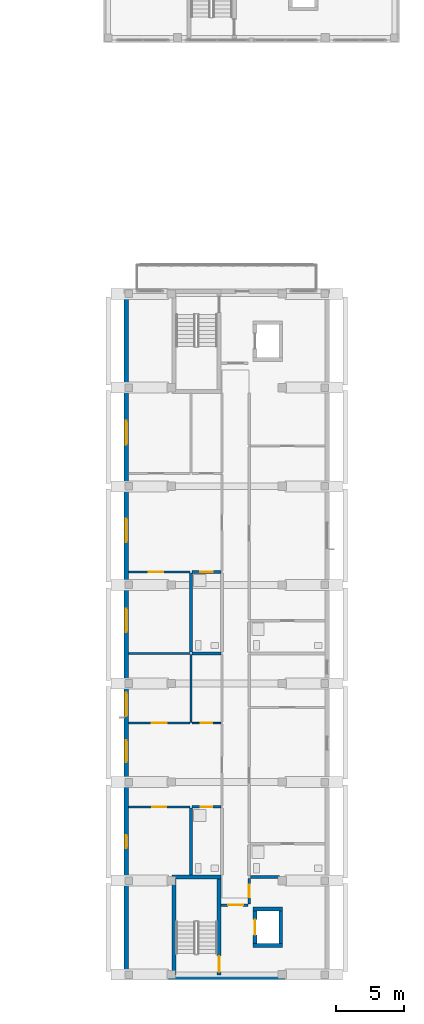
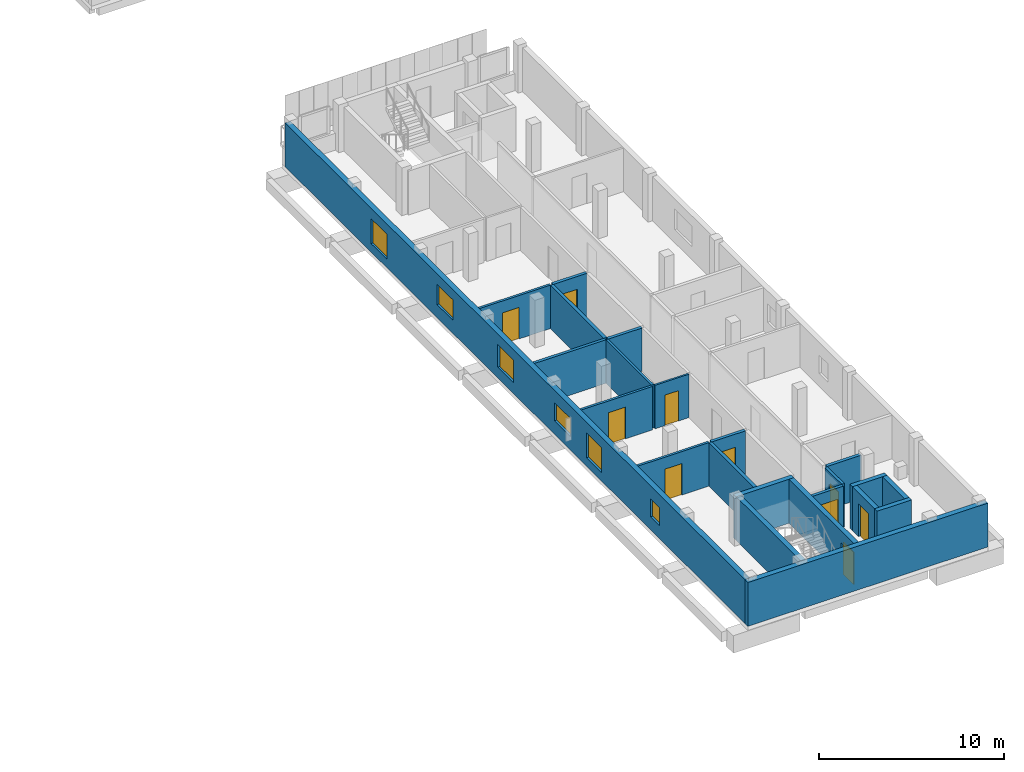
# One storey, part 19 of 38: 23 walls, 10 doors, 6 windows, 16 openings.
"""IFC4 building model written with IfcOpenShell, lengths in metres."""

from ifc_helpers import new_model, si_unit, derived_unit, direction, frame, frame_2d, origin, place, context, subcontext, project, spatial, rectangle, extrude, material, layer, layer_set, type_object, element, fill, save


model = new_model("IFC4")

# Units and contexts
model_context = context("Model", 3, precision=1e-05, world=origin(), true_north=direction((0.0, 1.0)))
body_context = subcontext(model_context, "Body", "Model", "MODEL_VIEW")
ifc_project = project(units=[si_unit("LENGTHUNIT", "METRE"), si_unit("AREAUNIT", "SQUARE_METRE"), si_unit("VOLUMEUNIT", "CUBIC_METRE"), si_unit("PLANEANGLEUNIT", "RADIAN"), si_unit("MASSUNIT", "GRAM", prefix="KILO"), derived_unit("THERMALTRANSMITTANCEUNIT", [(si_unit("MASSUNIT", "GRAM", prefix="KILO"), 1), (si_unit("TIMEUNIT", "SECOND"), -3), (si_unit("THERMODYNAMICTEMPERATUREUNIT", "KELVIN"), -1)])], contexts=[model_context])

# Site, building, storey
site_placement = place(None, origin())
site = spatial("IfcSite", under=ifc_project, at=site_placement, CompositionType="ELEMENT")
building_placement = place(site_placement, origin())
building = spatial("IfcBuilding", under=site, at=building_placement, Name="Ochrekiln Boulevard Commons", CompositionType="ELEMENT")
storey_placement = place(building_placement, frame((0.0, 0.0, 24.675048828125)))
storey = spatial("IfcBuildingStorey", under=building, at=storey_placement, Name="L07", CompositionType="ELEMENT", Elevation=24.675048828125)

# Wall
ifc_material_1 = material(Name="Desert ochre clinker brick masonry ASTM C216 Grade SW", Category="masonry")
ifc_layer_1 = layer(ifc_material_1, 0.330078125)
ifc_layer_set_1 = layer_set([ifc_layer_1], Name="Desert ochre clinker brick masonry ASTM C216 Grade SW")
wall_type_1 = type_object("IfcWallType", Name="WL-EXT-OCHRE-330", PredefinedType="SOLIDWALL", material=ifc_layer_set_1)
wall_1_placement = place(storey_placement, frame((152.699951171875, 0.1650390625, 0.0), z_axis=(0.0, 0.0, 1.0), x_axis=(1.0, 0.0, 0.0)))
element("IfcWall", 1, at=wall_1_placement, inside=storey, type_object=wall_type_1, Name="Block C L07 S Exterior Wall", PredefinedType="SOLIDWALL", context=body_context, shape_type="SweptSolid", body=[
    extrude(rectangle(XDim=15.0, YDim=0.330078125, at=frame_2d((7.5, 0.0))), origin(), (0.0, 0.0, 1.0), 2.89990234375),
])

# Wall, openings, windows
wall_2_placement = place(storey_placement, frame((152.864990234375, 0.330078125, 0.0), z_axis=(0.0, 0.0, 1.0), x_axis=(0.0, 1.0, 0.0)))
wall_2 = element("IfcWall", 2, at=wall_2_placement, inside=storey, type_object=wall_type_1, Name="Block C L07 W Exterior Wall", PredefinedType="SOLIDWALL", context=body_context, shape_type="SweptSolid", body=[
    extrude(rectangle(XDim=49.739990234375, YDim=0.330078125, at=frame_2d((24.8701171875, 0.0))), origin(), (0.0, 0.0, 1.0), 2.89990234375),
])
opening_1_placement = place(wall_2_placement, frame((15.52001953125, 0.0, 0.56494140625)))
opening_1 = element("IfcOpeningElement", 3, at=opening_1_placement, cuts=wall_2, Name="Opening W-34", PredefinedType="OPENING", context=body_context, shape_type="SweptSolid", body=[
    extrude(rectangle(XDim=1.60009765625, YDim=1.64990234375, at=frame_2d((0.800048828125, 0.824951171875))), frame((0.0, 0.175048828125, 0.0), z_axis=(0.0, -1.0, 0.0), x_axis=(1.0, 0.0, 0.0)), (0.0, 0.0, 1.0), 0.35009765625),
])
opening_2_placement = place(wall_2_placement, frame((9.2509765625, 0.0, 0.85009765625)))
opening_2 = element("IfcOpeningElement", 4, at=opening_2_placement, cuts=wall_2, Name="Opening W-01", PredefinedType="OPENING", context=body_context, shape_type="SweptSolid", body=[
    extrude(rectangle(XDim=0.949951171875, YDim=1.199951171875, at=frame_2d((0.47509765625, 0.60009765625))), frame((0.0, 0.175048828125, 0.0), z_axis=(0.0, -1.0, 0.0), x_axis=(1.0, 0.0, 0.0)), (0.0, 0.0, 1.0), 0.35009765625),
])
opening_3_placement = place(wall_2_placement, frame((18.8701171875, 0.0, 0.89990234375)))
opening_3 = element("IfcOpeningElement", 5, at=opening_3_placement, cuts=wall_2, Name="Opening W-36", PredefinedType="OPENING", context=body_context, shape_type="SweptSolid", body=[
    extrude(rectangle(XDim=1.719970703125, YDim=1.199951171875, at=frame_2d((0.85986328125, 0.60009765625))), frame((0.0, 0.175048828125, 0.0), z_axis=(0.0, -1.0, 0.0), x_axis=(1.0, 0.0, 0.0)), (0.0, 0.0, 1.0), 0.35009765625),
])
opening_4_placement = place(wall_2_placement, frame((31.587890625, 0.0, 0.864990234375)))
opening_4 = element("IfcOpeningElement", 6, at=opening_4_placement, cuts=wall_2, Name="Opening W-37", PredefinedType="OPENING", context=body_context, shape_type="SweptSolid", body=[
    extrude(rectangle(XDim=1.719970703125, YDim=1.35009765625, at=frame_2d((0.85986328125, 0.675048828125))), frame((0.0, 0.175048828125, 0.0), z_axis=(0.0, -1.0, 0.0), x_axis=(1.0, 0.0, 0.0)), (0.0, 0.0, 1.0), 0.35009765625),
])
opening_5_placement = place(wall_2_placement, frame((25.01611328125, 0.0, 0.715087890625)))
opening_5 = element("IfcOpeningElement", 7, at=opening_5_placement, cuts=wall_2, Name="Opening W-38", PredefinedType="OPENING", context=body_context, shape_type="SweptSolid", body=[
    extrude(rectangle(XDim=1.719970703125, YDim=1.5, at=frame_2d((0.85986328125, 0.75))), frame((0.0, 0.175048828125, 0.0), z_axis=(0.0, -1.0, 0.0), x_axis=(1.0, 0.0, 0.0)), (0.0, 0.0, 1.0), 0.35009765625),
])
opening_6_placement = place(wall_2_placement, frame((38.718017578125, 0.0, 0.56494140625)))
opening_6 = element("IfcOpeningElement", 8, at=opening_6_placement, cuts=wall_2, Name="Opening W-39", PredefinedType="OPENING", context=body_context, shape_type="SweptSolid", body=[
    extrude(rectangle(XDim=1.719970703125, YDim=1.64990234375, at=frame_2d((0.85986328125, 0.824951171875))), frame((0.0, 0.175048828125, 0.0), z_axis=(0.0, -1.0, 0.0), x_axis=(1.0, 0.0, 0.0)), (0.0, 0.0, 1.0), 0.35009765625),
])
ifc_material_2 = material(Name="Thermally broken aluminium-clad oak frame", Category="aluminium")
window_type_1 = type_object("IfcWindowType", Name="WIN-EXT-01", PartitioningType="SINGLE_PANEL", PredefinedType="WINDOW", material=ifc_material_2)
window_1_placement = place(opening_2_placement, origin())
window_1 = element("IfcWindow", 9, at=window_1_placement, inside=storey, type_object=window_type_1, Name="Block C L07 Punched Masonry Window W-01", OverallHeight=1.199951171875, OverallWidth=0.949951171875, PartitioningType="SINGLE_PANEL", PredefinedType="WINDOW", context=body_context, shape_type="SweptSolid", body=[
    extrude(rectangle(XDim=0.949951171875, YDim=1.199951171875, at=frame_2d((0.47509765625, 0.60009765625))), frame((0.0, 0.030029296875, 0.0), z_axis=(0.0, -1.0, 0.0), x_axis=(1.0, 0.0, 0.0)), (0.0, 0.0, 1.0), 0.06005859375),
])
fill(opening_2, window_1)
window_type_2 = type_object("IfcWindowType", Name="WIN-EXT-34", PartitioningType="DOUBLE_PANEL_VERTICAL", PredefinedType="WINDOW", material=ifc_material_2)
window_2_placement = place(opening_1_placement, origin())
window_2 = element("IfcWindow", 10, at=window_2_placement, inside=storey, type_object=window_type_2, Name="Block C L07 Punched Masonry Window W-34", OverallHeight=1.64990234375, OverallWidth=1.60009765625, PartitioningType="DOUBLE_PANEL_VERTICAL", PredefinedType="WINDOW", context=body_context, shape_type="SweptSolid", body=[
    extrude(rectangle(XDim=1.60009765625, YDim=1.64990234375, at=frame_2d((0.800048828125, 0.824951171875))), frame((0.0, 0.030029296875, 0.0), z_axis=(0.0, -1.0, 0.0), x_axis=(1.0, 0.0, 0.0)), (0.0, 0.0, 1.0), 0.06005859375),
])
fill(opening_1, window_2)
window_type_3 = type_object("IfcWindowType", Name="WIN-EXT-36", PartitioningType="DOUBLE_PANEL_VERTICAL", PredefinedType="WINDOW", material=ifc_material_2)
window_3_placement = place(opening_3_placement, origin())
window_3 = element("IfcWindow", 11, at=window_3_placement, inside=storey, type_object=window_type_3, Name="Block C L07 Punched Masonry Window W-36", OverallHeight=1.199951171875, OverallWidth=1.719970703125, PartitioningType="DOUBLE_PANEL_VERTICAL", PredefinedType="WINDOW", context=body_context, shape_type="SweptSolid", body=[
    extrude(rectangle(XDim=1.719970703125, YDim=1.199951171875, at=frame_2d((0.85986328125, 0.60009765625))), frame((0.0, 0.030029296875, 0.0), z_axis=(0.0, -1.0, 0.0), x_axis=(1.0, 0.0, 0.0)), (0.0, 0.0, 1.0), 0.06005859375),
])
fill(opening_3, window_3)
window_type_4 = type_object("IfcWindowType", Name="WIN-EXT-37", PartitioningType="DOUBLE_PANEL_VERTICAL", PredefinedType="WINDOW", material=ifc_material_2)
window_4_placement = place(opening_4_placement, origin())
window_4 = element("IfcWindow", 12, at=window_4_placement, inside=storey, type_object=window_type_4, Name="Block C L07 Punched Masonry Window W-37", OverallHeight=1.35009765625, OverallWidth=1.719970703125, PartitioningType="DOUBLE_PANEL_VERTICAL", PredefinedType="WINDOW", context=body_context, shape_type="SweptSolid", body=[
    extrude(rectangle(XDim=1.719970703125, YDim=1.35009765625, at=frame_2d((0.85986328125, 0.675048828125))), frame((0.0, 0.030029296875, 0.0), z_axis=(0.0, -1.0, 0.0), x_axis=(1.0, 0.0, 0.0)), (0.0, 0.0, 1.0), 0.06005859375),
])
fill(opening_4, window_4)
window_type_5 = type_object("IfcWindowType", Name="WIN-EXT-38", PartitioningType="DOUBLE_PANEL_VERTICAL", PredefinedType="WINDOW", material=ifc_material_2)
window_5_placement = place(opening_5_placement, origin())
window_5 = element("IfcWindow", 13, at=window_5_placement, inside=storey, type_object=window_type_5, Name="Block C L07 Punched Masonry Window W-38", OverallHeight=1.5, OverallWidth=1.719970703125, PartitioningType="DOUBLE_PANEL_VERTICAL", PredefinedType="WINDOW", context=body_context, shape_type="SweptSolid", body=[
    extrude(rectangle(XDim=1.719970703125, YDim=1.5, at=frame_2d((0.85986328125, 0.75))), frame((0.0, 0.030029296875, 0.0), z_axis=(0.0, -1.0, 0.0), x_axis=(1.0, 0.0, 0.0)), (0.0, 0.0, 1.0), 0.06005859375),
])
fill(opening_5, window_5)
window_type_6 = type_object("IfcWindowType", Name="WIN-EXT-39", PartitioningType="DOUBLE_PANEL_VERTICAL", PredefinedType="WINDOW", material=ifc_material_2)
window_6_placement = place(opening_6_placement, origin())
window_6 = element("IfcWindow", 14, at=window_6_placement, inside=storey, type_object=window_type_6, Name="Block C L07 Punched Masonry Window W-39", OverallHeight=1.64990234375, OverallWidth=1.719970703125, PartitioningType="DOUBLE_PANEL_VERTICAL", PredefinedType="WINDOW", context=body_context, shape_type="SweptSolid", body=[
    extrude(rectangle(XDim=1.719970703125, YDim=1.64990234375, at=frame_2d((0.85986328125, 0.824951171875))), frame((0.0, 0.030029296875, 0.0), z_axis=(0.0, -1.0, 0.0), x_axis=(1.0, 0.0, 0.0)), (0.0, 0.0, 1.0), 0.06005859375),
])
fill(opening_6, window_6)

# Wall
ifc_material_3 = material(Name="Moisture-resistant cementitious tile backer wall")
ifc_layer_2 = layer(ifc_material_3, 0.199951171875)
ifc_layer_set_2 = layer_set([ifc_layer_2], Name="Moisture-resistant cementitious tile backer wall")
wall_type_2 = type_object("IfcWallType", Name="WL-PLM-200", PredefinedType="PLUMBINGWALL", material=ifc_layer_set_2)
wall_3_placement = place(storey_placement, frame((161.923095703125, 7.47509765625, 0.0), z_axis=(0.0, 0.0, 1.0), x_axis=(1.0, 0.0, 0.0)))
element("IfcWall", 15, at=wall_3_placement, inside=storey, type_object=wall_type_2, Name="L07 Interior Wall W-PW200", PredefinedType="PLUMBINGWALL", context=body_context, shape_type="SweptSolid", body=[
    extrude(rectangle(XDim=2.126953125, YDim=0.199951171875, at=frame_2d((1.0634765625, 0.0))), origin(), (0.0, 0.0, 1.0), 2.869873046875),
])

# Wall, opening, door
wall_4_placement = place(storey_placement, frame((157.669921875, 12.592041015625, 0.0), z_axis=(0.0, 0.0, 1.0), x_axis=(1.0, 0.0, 0.0)))
wall_4 = element("IfcWall", 16, at=wall_4_placement, inside=storey, type_object=wall_type_2, Name="L07 Interior Wall W-PW200", PredefinedType="PLUMBINGWALL", context=body_context, shape_type="SweptSolid", body=[
    extrude(rectangle(XDim=2.108154296875, YDim=0.199951171875, at=frame_2d((1.05419921875, 0.0))), origin(), (0.0, 0.0, 1.0), 2.869873046875),
])
opening_7_placement = place(wall_4_placement, frame((0.6201171875, 0.0, 0.0)))
opening_7 = element("IfcOpeningElement", 17, at=opening_7_placement, cuts=wall_4, Name="Opening D-L07-961", PredefinedType="OPENING", context=body_context, shape_type="SweptSolid", body=[
    extrude(rectangle(XDim=0.860107421875, YDim=2.0, at=frame_2d((0.43017578125, 1.0))), frame((0.0, 0.10986328125, 0.0), z_axis=(0.0, -1.0, 0.0), x_axis=(1.0, 0.0, 0.0)), (0.0, 0.0, 1.0), 0.219970703125),
])
ifc_material_4 = material(Name="Solid core architectural oak door leaf")
door_type_1 = type_object("IfcDoorType", Name="DR-INT-BTH-086", OperationType="NOTDEFINED", PredefinedType="DOOR", material=ifc_material_4)
door_1_placement = place(opening_7_placement, frame((0.860107421875, 0.0, 0.0), z_axis=(0.0, 0.0, 1.0), x_axis=(-1.0, 0.0, 0.0)))
door_1 = element("IfcDoor", 18, at=door_1_placement, inside=storey, type_object=door_type_1, Name="L07 Interior Door to Accessible Apartment Bathroom", OperationType="SINGLE_SWING_LEFT", OverallHeight=2.0, OverallWidth=0.860107421875, PredefinedType="DOOR", context=body_context, shape_type="SweptSolid", body=[
    extrude(rectangle(XDim=0.860107421875, YDim=2.0, at=frame_2d((0.43017578125, 1.0))), frame((0.0, 0.02490234375, 0.0), z_axis=(0.0, -1.0, 0.0), x_axis=(1.0, 0.0, 0.0)), (0.0, 0.0, 1.0), 0.050048828125),
])
fill(opening_7, door_1)

# Walls
wall_5_placement = place(storey_placement, frame((157.590087890625, 7.60009765625, 0.0), z_axis=(0.0, 0.0, 1.0), x_axis=(0.0, 1.0, 0.0)))
element("IfcWall", 19, at=wall_5_placement, inside=storey, type_object=wall_type_2, Name="L07 Interior Wall W-PW200", PredefinedType="PLUMBINGWALL", context=body_context, shape_type="SweptSolid", body=[
    extrude(rectangle(XDim=4.9169921875, YDim=0.199951171875, at=frame_2d((2.45849609375, 0.0))), origin(), (0.0, 0.0, 1.0), 2.869873046875),
])
wall_6_placement = place(storey_placement, frame((157.669921875, 23.7919921875, 0.0), z_axis=(0.0, 0.0, 1.0), x_axis=(1.0, 0.0, 0.0)))
element("IfcWall", 20, at=wall_6_placement, inside=storey, type_object=wall_type_2, Name="L07 Interior Wall W-PW200", PredefinedType="PLUMBINGWALL", context=body_context, shape_type="SweptSolid", body=[
    extrude(rectangle(XDim=2.108154296875, YDim=0.199951171875, at=frame_2d((1.05419921875, 0.0))), origin(), (0.0, 0.0, 1.0), 2.869873046875),
])

# Wall, opening, door
wall_7_placement = place(storey_placement, frame((157.669921875, 29.7470703125, 0.0), z_axis=(0.0, 0.0, 1.0), x_axis=(1.0, 0.0, 0.0)))
wall_7 = element("IfcWall", 21, at=wall_7_placement, inside=storey, type_object=wall_type_2, Name="L07 Interior Wall W-PW200", PredefinedType="PLUMBINGWALL", context=body_context, shape_type="SweptSolid", body=[
    extrude(rectangle(XDim=2.108154296875, YDim=0.199951171875, at=frame_2d((1.05419921875, 0.0))), origin(), (0.0, 0.0, 1.0), 2.869873046875),
])
opening_8_placement = place(wall_7_placement, frame((0.60498046875, 0.0, 0.0)))
opening_8 = element("IfcOpeningElement", 22, at=opening_8_placement, cuts=wall_7, Name="Opening D-L07-965", PredefinedType="OPENING", context=body_context, shape_type="SweptSolid", body=[
    extrude(rectangle(XDim=0.889892578125, YDim=2.030029296875, at=frame_2d((0.44482421875, 1.01513671875))), frame((0.0, 0.10986328125, 0.0), z_axis=(0.0, -1.0, 0.0), x_axis=(1.0, 0.0, 0.0)), (0.0, 0.0, 1.0), 0.219970703125),
])
door_type_2 = type_object("IfcDoorType", Name="DR-INT-BTH-089", OperationType="NOTDEFINED", PredefinedType="DOOR", material=ifc_material_4)
door_2_placement = place(opening_8_placement, frame((0.889892578125, 0.0, 0.0), z_axis=(0.0, 0.0, 1.0), x_axis=(-1.0, 0.0, 0.0)))
door_2 = element("IfcDoor", 23, at=door_2_placement, inside=storey, type_object=door_type_2, Name="L07 Interior Door to Apartment Bathroom", OperationType="SINGLE_SWING_LEFT", OverallHeight=2.030029296875, OverallWidth=0.889892578125, PredefinedType="DOOR", context=body_context, shape_type="SweptSolid", body=[
    extrude(rectangle(XDim=0.889892578125, YDim=2.030029296875, at=frame_2d((0.44482421875, 1.01513671875))), frame((0.0, 0.02490234375, 0.0), z_axis=(0.0, -1.0, 0.0), x_axis=(1.0, 0.0, 0.0)), (0.0, 0.0, 1.0), 0.050048828125),
])
fill(opening_8, door_2)

# Wall
wall_8_placement = place(storey_placement, frame((157.590087890625, 23.882080078125, 0.0), z_axis=(0.0, 0.0, 1.0), x_axis=(0.0, 1.0, 0.0)))
element("IfcWall", 24, at=wall_8_placement, inside=storey, type_object=wall_type_2, Name="L07 Interior Wall W-PW200", PredefinedType="PLUMBINGWALL", context=body_context, shape_type="SweptSolid", body=[
    extrude(rectangle(XDim=5.784912109375, YDim=0.199951171875, at=frame_2d((2.892578125, 0.0))), origin(), (0.0, 0.0, 1.0), 2.869873046875),
])

# Wall, opening, door
ifc_material_5 = material(Name="Fire-rated Type X gypsum board on steel studs", Category="steel")
ifc_layer_3 = layer(ifc_material_5, 0.1650390625)
ifc_layer_set_3 = layer_set([ifc_layer_3], Name="Fire-rated Type X gypsum board on steel studs")
wall_type_3 = type_object("IfcWallType", Name="WL-PT-CORR-165", PredefinedType="PARTITIONING", material=ifc_layer_set_3)
wall_9_placement = place(storey_placement, frame((161.840087890625, 5.514892578125, 0.0), z_axis=(0.0, 0.0, 1.0), x_axis=(0.0, 1.0, 0.0)))
wall_9 = element("IfcWall", 25, at=wall_9_placement, inside=storey, type_object=wall_type_3, Name="L07 Interior Wall W-PC165", PredefinedType="PARTITIONING", context=body_context, shape_type="SweptSolid", body=[
    extrude(rectangle(XDim=1.835205078125, YDim=0.1650390625, at=frame_2d((0.91748046875, 0.0))), origin(), (0.0, 0.0, 1.0), 2.869873046875),
])
opening_9_placement = place(wall_9_placement, frame((0.47509765625, 0.0, 0.0)))
opening_9 = element("IfcOpeningElement", 26, at=opening_9_placement, cuts=wall_9, Name="Opening D-L07-956", PredefinedType="OPENING", context=body_context, shape_type="SweptSolid", body=[
    extrude(rectangle(XDim=0.919921875, YDim=2.0400390625, at=frame_2d((0.4599609375, 1.02001953125))), frame((0.0, 0.092529296875, 0.0), z_axis=(0.0, -1.0, 0.0), x_axis=(1.0, 0.0, 0.0)), (0.0, 0.0, 1.0), 0.18505859375),
])
ifc_material_6 = material(Name="Hollow metal fire-rated steel door assembly", Category="steel")
door_type_3 = type_object("IfcDoorType", Name="DR-SRV-90", OperationType="NOTDEFINED", PredefinedType="DOOR", material=ifc_material_6)
door_3_placement = place(opening_9_placement, frame((0.919921875, 0.0, 0.0), z_axis=(0.0, 0.0, 1.0), x_axis=(-1.0, 0.0, 0.0)))
door_3 = element("IfcDoor", 27, at=door_3_placement, inside=storey, type_object=door_type_3, Name="L07 Interior Door to Hydronic and Electrical Riser Room", OperationType="SINGLE_SWING_RIGHT", OverallHeight=2.0400390625, OverallWidth=0.919921875, PredefinedType="DOOR", context=body_context, shape_type="SweptSolid", body=[
    extrude(rectangle(XDim=0.919921875, YDim=2.0400390625, at=frame_2d((0.4599609375, 1.02001953125))), frame((0.0, 0.02490234375, 0.0), z_axis=(0.0, -1.0, 0.0), x_axis=(1.0, 0.0, 0.0)), (0.0, 0.0, 1.0), 0.050048828125),
])
fill(opening_9, door_3)

# Wall
ifc_layer_4 = layer(ifc_material_5, 0.179931640625)
ifc_layer_set_4 = layer_set([ifc_layer_4], Name="Fire-rated Type X gypsum board on steel studs")
wall_type_4 = type_object("IfcWallType", Name="WL-PT-DEM-180", PredefinedType="PARTITIONING", material=ifc_layer_set_4)
wall_10_placement = place(storey_placement, frame((153.030029296875, 23.7919921875, 0.0), z_axis=(0.0, 0.0, 1.0), x_axis=(1.0, 0.0, 0.0)))
element("IfcWall", 28, at=wall_10_placement, inside=storey, type_object=wall_type_4, Name="L07 Interior Wall W-PD180", PredefinedType="PARTITIONING", context=body_context, shape_type="SweptSolid", body=[
    extrude(rectangle(XDim=4.48486328125, YDim=0.179931640625, at=frame_2d((2.242431640625, 0.0))), origin(), (0.0, 0.0, 1.0), 2.869873046875),
])

# Wall, opening, door
ifc_layer_5 = layer(ifc_material_5, 0.18994140625)
ifc_layer_set_5 = layer_set([ifc_layer_5], Name="Fire-rated Type X gypsum board on steel studs")
wall_type_5 = type_object("IfcWallType", Name="WL-PT-LBY-190", PredefinedType="PARTITIONING", material=ifc_layer_set_5)
wall_11_placement = place(storey_placement, frame((159.800048828125, 5.419921875, 0.0), z_axis=(0.0, 0.0, 1.0), x_axis=(1.0, 0.0, 0.0)))
wall_11 = element("IfcWall", 29, at=wall_11_placement, inside=storey, type_object=wall_type_5, Name="L07 Interior Wall W-PL190", PredefinedType="PARTITIONING", context=body_context, shape_type="SweptSolid", body=[
    extrude(rectangle(XDim=1.949951171875, YDim=0.18994140625, at=frame_2d((0.97509765625, 0.0))), origin(), (0.0, 0.0, 1.0), 2.869873046875),
])
opening_10_placement = place(wall_11_placement, frame((0.5, 0.0, 0.0)))
opening_10 = element("IfcOpeningElement", 30, at=opening_10_placement, cuts=wall_11, Name="Opening D-L07-954", PredefinedType="OPENING", context=body_context, shape_type="SweptSolid", body=[
    extrude(rectangle(XDim=1.10009765625, YDim=2.1201171875, at=frame_2d((0.550048828125, 1.06005859375))), frame((0.0, 0.10498046875, 0.0), z_axis=(0.0, -1.0, 0.0), x_axis=(1.0, 0.0, 0.0)), (0.0, 0.0, 1.0), 0.2099609375),
])
door_type_4 = type_object("IfcDoorType", Name="DR-LOBBY-60", OperationType="NOTDEFINED", PredefinedType="DOOR", material=ifc_material_6)
door_4_placement = place(opening_10_placement, frame((1.10009765625, 0.0, 0.0), z_axis=(0.0, 0.0, 1.0), x_axis=(-1.0, 0.0, 0.0)))
door_4 = element("IfcDoor", 31, at=door_4_placement, inside=storey, type_object=door_type_4, Name="L07 Interior Door to Passenger Elevator Lobby", OperationType="SINGLE_SWING_RIGHT", OverallHeight=2.1201171875, OverallWidth=1.10009765625, PredefinedType="DOOR", context=body_context, shape_type="SweptSolid", body=[
    extrude(rectangle(XDim=1.10009765625, YDim=2.1201171875, at=frame_2d((0.550048828125, 1.06005859375))), frame((0.0, 0.02490234375, 0.0), z_axis=(0.0, -1.0, 0.0), x_axis=(1.0, 0.0, 0.0)), (0.0, 0.0, 1.0), 0.050048828125),
])
fill(opening_10, door_4)

ifc_layer_6 = layer(ifc_material_5, 0.1201171875)
ifc_layer_set_6 = layer_set([ifc_layer_6], Name="Fire-rated Type X gypsum board on steel studs")
wall_type_6 = type_object("IfcWallType", Name="WL-PT-LGT-120", PredefinedType="PARTITIONING", material=ifc_layer_set_6)
wall_12_placement = place(storey_placement, frame((157.669921875, 18.7099609375, 0.0), z_axis=(0.0, 0.0, 1.0), x_axis=(1.0, 0.0, 0.0)))
wall_12 = element("IfcWall", 32, at=wall_12_placement, inside=storey, type_object=wall_type_6, Name="L07 Interior Wall W-PL120", PredefinedType="PARTITIONING", context=body_context, shape_type="SweptSolid", body=[
    extrude(rectangle(XDim=2.108154296875, YDim=0.1201171875, at=frame_2d((1.05419921875, 0.0))), origin(), (0.0, 0.0, 1.0), 2.869873046875),
])
opening_11_placement = place(wall_12_placement, frame((0.625, 0.0, 0.0)))
opening_11 = element("IfcOpeningElement", 33, at=opening_11_placement, cuts=wall_12, Name="Opening D-L07-962", PredefinedType="OPENING", context=body_context, shape_type="SweptSolid", body=[
    extrude(rectangle(XDim=0.85009765625, YDim=2.010009765625, at=frame_2d((0.425048828125, 1.0048828125))), frame((0.0, 0.070068359375, 0.0), z_axis=(0.0, -1.0, 0.0), x_axis=(1.0, 0.0, 0.0)), (0.0, 0.0, 1.0), 0.14013671875),
])
door_type_5 = type_object("IfcDoorType", Name="DR-INT-KIT-085", OperationType="NOTDEFINED", PredefinedType="DOOR", material=ifc_material_4)
door_5_placement = place(opening_11_placement, origin())
door_5 = element("IfcDoor", 34, at=door_5_placement, inside=storey, type_object=door_type_5, Name="L07 Interior Door to Apartment Kitchen", OperationType="SINGLE_SWING_RIGHT", OverallHeight=2.010009765625, OverallWidth=0.85009765625, PredefinedType="DOOR", context=body_context, shape_type="SweptSolid", body=[
    extrude(rectangle(XDim=0.85009765625, YDim=2.010009765625, at=frame_2d((0.425048828125, 1.0048828125))), frame((0.0, 0.02490234375, 0.0), z_axis=(0.0, -1.0, 0.0), x_axis=(1.0, 0.0, 0.0)), (0.0, 0.0, 1.0), 0.050048828125),
])
fill(opening_11, door_5)

ifc_layer_7 = layer(ifc_material_5, 0.14990234375)
ifc_layer_set_7 = layer_set([ifc_layer_7], Name="Fire-rated Type X gypsum board on steel studs")
wall_type_7 = type_object("IfcWallType", Name="WL-PT-STD-150", PredefinedType="PARTITIONING", material=ifc_layer_set_7)
wall_13_placement = place(storey_placement, frame((153.030029296875, 12.592041015625, 0.0), z_axis=(0.0, 0.0, 1.0), x_axis=(1.0, 0.0, 0.0)))
wall_13 = element("IfcWall", 35, at=wall_13_placement, inside=storey, type_object=wall_type_7, Name="L07 Interior Wall W-PS150", PredefinedType="PARTITIONING", context=body_context, shape_type="SweptSolid", body=[
    extrude(rectangle(XDim=4.47998046875, YDim=0.14990234375, at=frame_2d((2.239990234375, 0.0))), origin(), (0.0, 0.0, 1.0), 2.869873046875),
])
opening_12_placement = place(wall_13_placement, frame((1.72998046875, 0.0, 0.0)))
opening_12 = element("IfcOpeningElement", 36, at=opening_12_placement, cuts=wall_13, Name="Opening D-L07-963", PredefinedType="OPENING", context=body_context, shape_type="SweptSolid", body=[
    extrude(rectangle(XDim=1.0400390625, YDim=2.080078125, at=frame_2d((0.52001953125, 1.0400390625))), frame((0.0, 0.0849609375, 0.0), z_axis=(0.0, -1.0, 0.0), x_axis=(1.0, 0.0, 0.0)), (0.0, 0.0, 1.0), 0.169921875),
])
door_type_6 = type_object("IfcDoorType", Name="DR-INT-BED-104", OperationType="NOTDEFINED", PredefinedType="DOOR", material=ifc_material_4)
door_6_placement = place(opening_12_placement, frame((1.0400390625, 0.0, 0.0), z_axis=(0.0, 0.0, 1.0), x_axis=(-1.0, 0.0, 0.0)))
door_6 = element("IfcDoor", 37, at=door_6_placement, inside=storey, type_object=door_type_6, Name="L07 Interior Door to Primary Apartment Bedroom", OperationType="SINGLE_SWING_LEFT", OverallHeight=2.080078125, OverallWidth=1.0400390625, PredefinedType="DOOR", context=body_context, shape_type="SweptSolid", body=[
    extrude(rectangle(XDim=1.0400390625, YDim=2.080078125, at=frame_2d((0.52001953125, 1.0400390625))), frame((0.0, 0.02490234375, 0.0), z_axis=(0.0, -1.0, 0.0), x_axis=(1.0, 0.0, 0.0)), (0.0, 0.0, 1.0), 0.050048828125),
])
fill(opening_12, door_6)

wall_14_placement = place(storey_placement, frame((153.030029296875, 18.7099609375, 0.0), z_axis=(0.0, 0.0, 1.0), x_axis=(1.0, 0.0, 0.0)))
wall_14 = element("IfcWall", 38, at=wall_14_placement, inside=storey, type_object=wall_type_7, Name="L07 Interior Wall W-PS150", PredefinedType="PARTITIONING", context=body_context, shape_type="SweptSolid", body=[
    extrude(rectangle(XDim=4.47998046875, YDim=0.14990234375, at=frame_2d((2.239990234375, 0.0))), origin(), (0.0, 0.0, 1.0), 2.869873046875),
])
opening_13_placement = place(wall_14_placement, frame((1.7099609375, 0.0, 0.0)))
opening_13 = element("IfcOpeningElement", 39, at=opening_13_placement, cuts=wall_14, Name="Opening D-L07-964", PredefinedType="OPENING", context=body_context, shape_type="SweptSolid", body=[
    extrude(rectangle(XDim=1.080078125, YDim=2.10009765625, at=frame_2d((0.5400390625, 1.050048828125))), frame((0.0, 0.0849609375, 0.0), z_axis=(0.0, -1.0, 0.0), x_axis=(1.0, 0.0, 0.0)), (0.0, 0.0, 1.0), 0.169921875),
])
door_type_7 = type_object("IfcDoorType", Name="DR-INT-BED-108", OperationType="NOTDEFINED", PredefinedType="DOOR", material=ifc_material_4)
door_7_placement = place(opening_13_placement, origin())
door_7 = element("IfcDoor", 40, at=door_7_placement, inside=storey, type_object=door_type_7, Name="L07 Interior Door to Secondary Apartment Bedroom", OperationType="SINGLE_SWING_RIGHT", OverallHeight=2.10009765625, OverallWidth=1.080078125, PredefinedType="DOOR", context=body_context, shape_type="SweptSolid", body=[
    extrude(rectangle(XDim=1.080078125, YDim=2.10009765625, at=frame_2d((0.5400390625, 1.050048828125))), frame((0.0, 0.02490234375, 0.0), z_axis=(0.0, -1.0, 0.0), x_axis=(1.0, 0.0, 0.0)), (0.0, 0.0, 1.0), 0.050048828125),
])
fill(opening_13, door_7)

# Wall
wall_15_placement = place(storey_placement, frame((157.590087890625, 18.77001953125, 0.0), z_axis=(0.0, 0.0, 1.0), x_axis=(0.0, 1.0, 0.0)))
element("IfcWall", 41, at=wall_15_placement, inside=storey, type_object=wall_type_7, Name="L07 Interior Wall W-PS150", PredefinedType="PARTITIONING", context=body_context, shape_type="SweptSolid", body=[
    extrude(rectangle(XDim=4.931884765625, YDim=0.14990234375, at=frame_2d((2.4658203125, 0.0))), origin(), (0.0, 0.0, 1.0), 2.869873046875),
])

# Wall, opening, door
wall_16_placement = place(storey_placement, frame((153.030029296875, 29.7470703125, 0.0), z_axis=(0.0, 0.0, 1.0), x_axis=(1.0, 0.0, 0.0)))
wall_16 = element("IfcWall", 42, at=wall_16_placement, inside=storey, type_object=wall_type_7, Name="L07 Interior Wall W-PS150", PredefinedType="PARTITIONING", context=body_context, shape_type="SweptSolid", body=[
    extrude(rectangle(XDim=4.47998046875, YDim=0.14990234375, at=frame_2d((2.239990234375, 0.0))), origin(), (0.0, 0.0, 1.0), 2.869873046875),
])
opening_14_placement = place(wall_16_placement, frame((1.47998046875, 0.0, 0.0)))
opening_14 = element("IfcOpeningElement", 43, at=opening_14_placement, cuts=wall_16, Name="Opening D-L07-967", PredefinedType="OPENING", context=body_context, shape_type="SweptSolid", body=[
    extrude(rectangle(XDim=1.0400390625, YDim=2.080078125, at=frame_2d((0.52001953125, 1.0400390625))), frame((0.0, 0.0849609375, 0.0), z_axis=(0.0, -1.0, 0.0), x_axis=(1.0, 0.0, 0.0)), (0.0, 0.0, 1.0), 0.169921875),
])
door_8_placement = place(opening_14_placement, frame((1.0400390625, 0.0, 0.0), z_axis=(0.0, 0.0, 1.0), x_axis=(-1.0, 0.0, 0.0)))
door_8 = element("IfcDoor", 44, at=door_8_placement, inside=storey, type_object=door_type_6, Name="L07 Interior Door to Primary Apartment Bedroom", OperationType="SINGLE_SWING_LEFT", OverallHeight=2.080078125, OverallWidth=1.0400390625, PredefinedType="DOOR", context=body_context, shape_type="SweptSolid", body=[
    extrude(rectangle(XDim=1.0400390625, YDim=2.080078125, at=frame_2d((0.52001953125, 1.0400390625))), frame((0.0, 0.02490234375, 0.0), z_axis=(0.0, -1.0, 0.0), x_axis=(1.0, 0.0, 0.0)), (0.0, 0.0, 1.0), 0.050048828125),
])
fill(opening_14, door_8)

# Walls
ifc_material_7 = material(Name="Concrete C40/50", Category="concrete")
ifc_layer_8 = layer(ifc_material_7, 0.27490234375)
ifc_layer_set_8 = layer_set([ifc_layer_8], Name="Concrete C40/50")
wall_type_8 = type_object("IfcWallType", Name="WL-SH-275", PredefinedType="SHEAR", material=ifc_layer_set_8)
for number, where, z_axis, x_axis, name in (
    (45, (162.125, 2.46240234375, 0.0), (0.0, 0.0, 1.0), (1.0, 0.0, 0.0), "Elevator LP-C1 L07 Hoistway Shear Wall"),
    (46, (162.125, 5.137451171875, 0.0), (0.0, 0.0, 1.0), (1.0, 0.0, 0.0), "Elevator LP-C1 L07 Hoistway Shear Wall"),
):
    element("IfcWall", number, at=place(storey_placement, frame(where, z_axis=z_axis, x_axis=x_axis)), inside=storey, type_object=wall_type_8, Name=name, PredefinedType="SHEAR", context=body_context, shape_type="SweptSolid", body=[
        extrude(rectangle(XDim=2.14990234375, YDim=0.27490234375, at=frame_2d((1.074951171875, 0.0))), origin(), (0.0, 0.0, 1.0), 2.89990234375),
    ])

# Wall, opening, door
wall_17_placement = place(storey_placement, frame((162.262451171875, 2.60009765625, 0.0), z_axis=(0.0, 0.0, 1.0), x_axis=(0.0, 1.0, 0.0)))
wall_17 = element("IfcWall", 47, at=wall_17_placement, inside=storey, type_object=wall_type_8, Name="Elevator LP-C1 L07 Hoistway Shear Wall", PredefinedType="SHEAR", context=body_context, shape_type="SweptSolid", body=[
    extrude(rectangle(XDim=2.39990234375, YDim=0.27490234375, at=frame_2d((1.199951171875, 0.0))), origin(), (0.0, 0.0, 1.0), 2.89990234375),
])
opening_15_placement = place(wall_17_placement, frame((0.64990234375, 0.0, 0.0)))
opening_15 = element("IfcOpeningElement", 48, at=opening_15_placement, cuts=wall_17, Name="Opening LD-LP-C1-L07", PredefinedType="OPENING", context=body_context, shape_type="SweptSolid", body=[
    extrude(rectangle(XDim=1.10009765625, YDim=2.14990234375, at=frame_2d((0.550048828125, 1.074951171875))), frame((0.0, 0.1474609375, 0.0), z_axis=(0.0, -1.0, 0.0), x_axis=(1.0, 0.0, 0.0)), (0.0, 0.0, 1.0), 0.294921875),
])
ifc_material_8 = material(Name="Brushed stainless steel 316 elevator cab and doors", Category="steel")
door_type_8 = type_object("IfcDoorType", Name="DR-LIFT-LD90", OperationType="SLIDING_TO_LEFT", PredefinedType="DOOR", material=ifc_material_8)
door_9_placement = place(opening_15_placement, origin())
door_9 = element("IfcDoor", 49, at=door_9_placement, inside=storey, type_object=door_type_8, Name="Elevator LP-C1 L07 Sliding Landing Door LD-LP-C1-L07", OperationType="SLIDING_TO_LEFT", OverallHeight=2.14990234375, OverallWidth=1.10009765625, PredefinedType="DOOR", context=body_context, shape_type="SweptSolid", body=[
    extrude(rectangle(XDim=1.10009765625, YDim=2.14990234375, at=frame_2d((0.550048828125, 1.074951171875))), frame((0.0, 0.02490234375, 0.0), z_axis=(0.0, -1.0, 0.0), x_axis=(1.0, 0.0, 0.0)), (0.0, 0.0, 1.0), 0.050048828125),
])
fill(opening_15, door_9)

# Walls
wall_18_placement = place(storey_placement, frame((164.137451171875, 2.60009765625, 0.0), z_axis=(0.0, 0.0, 1.0), x_axis=(0.0, 1.0, 0.0)))
element("IfcWall", 50, at=wall_18_placement, inside=storey, type_object=wall_type_8, Name="Elevator LP-C1 L07 Hoistway Shear Wall", PredefinedType="SHEAR", context=body_context, shape_type="SweptSolid", body=[
    extrude(rectangle(XDim=2.39990234375, YDim=0.27490234375, at=frame_2d((1.199951171875, 0.0))), origin(), (0.0, 0.0, 1.0), 2.89990234375),
])
ifc_layer_9 = layer(ifc_material_7, 0.300048828125)
ifc_layer_set_9 = layer_set([ifc_layer_9], Name="Concrete C40/50")
wall_type_9 = type_object("IfcWallType", Name="WL-SH-300", PredefinedType="SHEAR", material=ifc_layer_set_9)
wall_19_placement = place(storey_placement, frame((156.199951171875, 7.469970703125, 0.0), z_axis=(0.0, 0.0, 1.0), x_axis=(1.0, 0.0, 0.0)))
element("IfcWall", 51, at=wall_19_placement, inside=storey, type_object=wall_type_9, Name="Stair ST-C1 L07 Core Shear Wall N", PredefinedType="SHEAR", context=body_context, shape_type="SweptSolid", body=[
    extrude(rectangle(XDim=3.60009765625, YDim=0.300048828125, at=frame_2d((1.800048828125, 0.0))), origin(), (0.0, 0.0, 1.0), 2.89990234375),
])
wall_20_placement = place(storey_placement, frame((156.35009765625, 0.320068359375, 0.0), z_axis=(0.0, 0.0, 1.0), x_axis=(0.0, 1.0, 0.0)))
element("IfcWall", 52, at=wall_20_placement, inside=storey, type_object=wall_type_9, Name="Stair ST-C1 L07 Core Shear Wall W", PredefinedType="SHEAR", context=body_context, shape_type="SweptSolid", body=[
    extrude(rectangle(XDim=7.0, YDim=0.300048828125, at=frame_2d((3.5, 0.0))), origin(), (0.0, 0.0, 1.0), 2.89990234375),
])

# Wall, opening, door
wall_21_placement = place(storey_placement, frame((159.64990234375, 0.320068359375, 0.0), z_axis=(0.0, 0.0, 1.0), x_axis=(0.0, 1.0, 0.0)))
wall_21 = element("IfcWall", 53, at=wall_21_placement, inside=storey, type_object=wall_type_9, Name="Stair ST-C1 L07 Core Shear Wall E", PredefinedType="SHEAR", context=body_context, shape_type="SweptSolid", body=[
    extrude(rectangle(XDim=7.0, YDim=0.300048828125, at=frame_2d((3.5, 0.0))), origin(), (0.0, 0.0, 1.0), 2.89990234375),
])
opening_16_placement = place(wall_21_placement, frame((0.22509765625, 0.0, 0.0)))
opening_16 = element("IfcOpeningElement", 54, at=opening_16_placement, cuts=wall_21, Name="Opening D-L07-ST-C1", PredefinedType="OPENING", context=body_context, shape_type="SweptSolid", body=[
    extrude(rectangle(XDim=1.14990234375, YDim=2.1201171875, at=frame_2d((0.574951171875, 1.06005859375))), frame((0.0, 0.159912109375, 0.0), z_axis=(0.0, -1.0, 0.0), x_axis=(1.0, 0.0, 0.0)), (0.0, 0.0, 1.0), 0.320068359375),
])
door_type_9 = type_object("IfcDoorType", Name="DR-STAIR-90", OperationType="NOTDEFINED", PredefinedType="DOOR", material=ifc_material_6)
door_10_placement = place(opening_16_placement, origin())
door_10 = element("IfcDoor", 55, at=door_10_placement, inside=storey, type_object=door_type_9, Name="Enclosed Exit Stair ST-C1 L07 Rated Door", OperationType="SINGLE_SWING_LEFT", OverallHeight=2.1201171875, OverallWidth=1.14990234375, PredefinedType="DOOR", context=body_context, shape_type="SweptSolid", body=[
    extrude(rectangle(XDim=1.14990234375, YDim=2.1201171875, at=frame_2d((0.574951171875, 1.06005859375))), frame((0.0, 0.02490234375, 0.0), z_axis=(0.0, -1.0, 0.0), x_axis=(1.0, 0.0, 0.0)), (0.0, 0.0, 1.0), 0.050048828125),
])
fill(opening_16, door_10)

save(model, "model.ifc")
